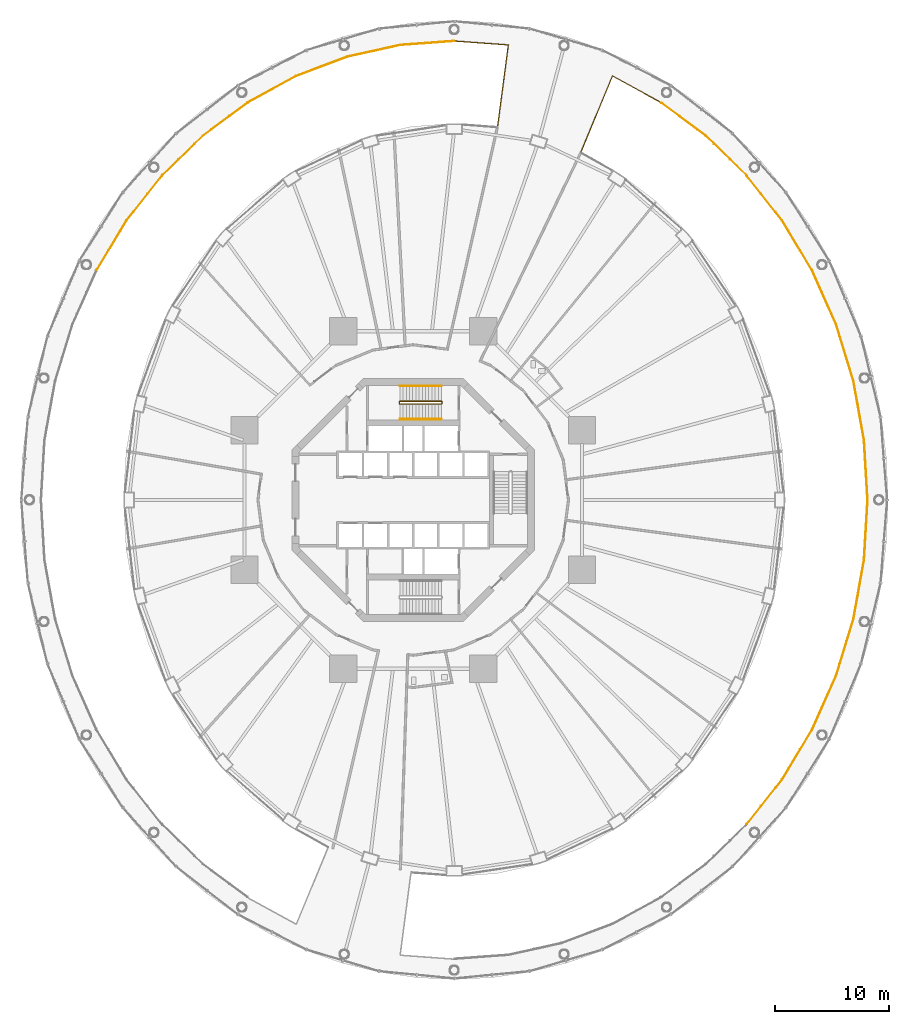
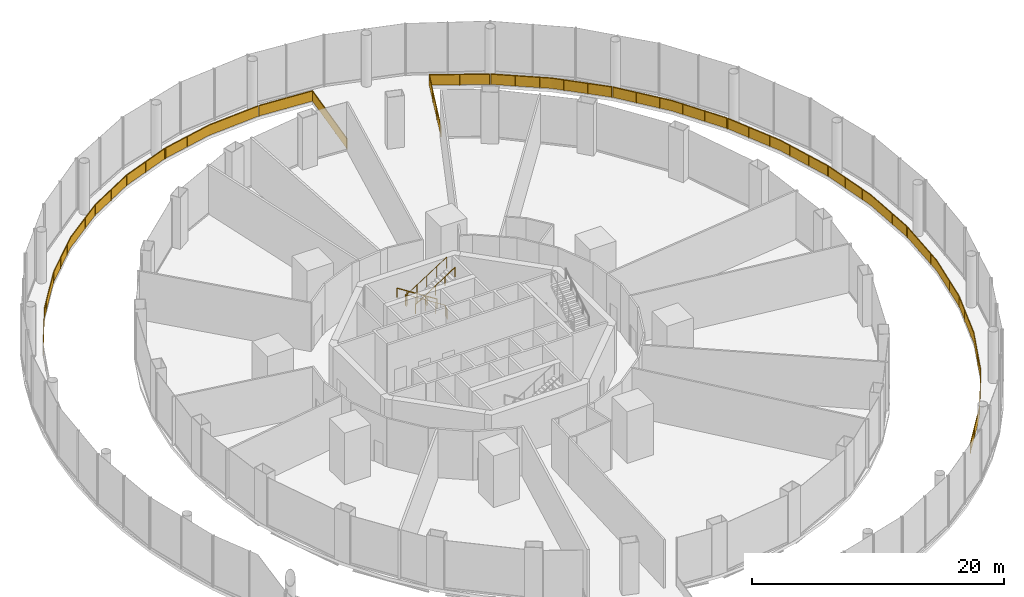
# One storey, part 46 of 47: 16 railings.
"""IFC4 building model written with IfcOpenShell, lengths in metres."""

from ifc_helpers import new_model, si_unit, direction, frame, origin, origin_2d, place, context, subcontext, project, spatial, polyline, rectangle, circle, outline, extrude, material, type_object, element, save


model = new_model("IFC4")

# Units and contexts
model_context = context("Model", 3, precision=1e-05, world=origin(), true_north=direction((0.0, 1.0)))
body_context = subcontext(model_context, "Body", "Model", "MODEL_VIEW")
ifc_project = project(units=[si_unit("LENGTHUNIT", "METRE"), si_unit("AREAUNIT", "SQUARE_METRE"), si_unit("VOLUMEUNIT", "CUBIC_METRE"), si_unit("PLANEANGLEUNIT", "RADIAN"), si_unit("MASSUNIT", "GRAM", prefix="KILO")], contexts=[model_context])

# Site, building, storey
site_placement = place(None, origin())
site = spatial("IfcSite", under=ifc_project, at=site_placement, CompositionType="ELEMENT")
building_placement = place(site_placement, origin())
building = spatial("IfcBuilding", under=site, at=building_placement, Name="Nagisa Residences", CompositionType="ELEMENT")
storey_placement = place(building_placement, frame((0.0, 0.0, 17.0)))
storey = spatial("IfcBuildingStorey", under=building, at=storey_placement, Name="L03", CompositionType="ELEMENT", Elevation=17.0)

# Railings
ifc_material_1 = material(Name="Stainless steel 316", Category="steel")
railing_type_1 = type_object("IfcRailingType", Name="ROOF GUARD 1100", PredefinedType="GUARDRAIL", material=ifc_material_1)
railing_1_placement = place(storey_placement, frame((7.390380859375, 32.75732421875, 0.0)))
element("IfcRailing", 1, at=railing_1_placement, inside=storey, type_object=railing_type_1, Name="guard:L03:gal0-00", PredefinedType="GUARDRAIL", context=body_context, shape_type="SweptSolid", body=[
    extrude(outline(polyline([(0.90625, 7.075927734375), (-0.02490234375, 0.003173828125), (0.02490234375, -0.003173828125), (0.962890625, 7.121826171875), (-3.748779296875, 7.464599609375), (-3.752197265625, 7.414794921875), (0.90625, 7.075927734375)])), frame((0.0, 0.0, 1.050048828125)), (0.0, 0.0, 1.0), 0.050048828125),
    extrude(outline(polyline([(0.9267578125, 7.092529296875), (-0.0068359375, 0.0009765625), (0.0068359375, -0.0009765625), (0.9423828125, 7.105224609375), (-3.75, 7.44677734375), (-3.7509765625, 7.4326171875), (0.9267578125, 7.092529296875)])), frame((0.0, 0.0, 0.06005859375)), (0.0, 0.0, 1.0), 0.989990234375),
    extrude(rectangle(XDim=0.0400390625, YDim=0.0400390625, at=origin_2d()), origin(), (0.0, 0.0, 1.0), 1.050048828125),
    extrude(rectangle(XDim=0.0400390625, YDim=0.0400390625, at=origin_2d()), frame((0.3095703125, 2.351318359375, 0.0)), (0.0, 0.0, 1.0), 1.050048828125),
    extrude(rectangle(XDim=0.0400390625, YDim=0.0400390625, at=origin_2d()), frame((0.619140625, 4.702392578125, 0.0)), (0.0, 0.0, 1.0), 1.050048828125),
    extrude(rectangle(XDim=0.0400390625, YDim=0.0400390625, at=origin_2d()), frame((0.9287109375, 7.0537109375, 0.0)), (0.0, 0.0, 1.0), 1.050048828125),
    extrude(rectangle(XDim=0.0400390625, YDim=0.0400390625, at=origin_2d()), frame((-1.38525390625, 7.267578125, 0.0)), (0.0, 0.0, 1.0), 1.050048828125),
    extrude(rectangle(XDim=0.0400390625, YDim=0.0400390625, at=origin_2d()), frame((-3.75048828125, 7.439697265625, 0.0)), (0.0, 0.0, 1.0), 1.050048828125),
])
railing_2_placement = place(storey_placement, frame((3.56005859375, 40.197021484375, 0.0)))
element("IfcRailing", 2, at=railing_2_placement, inside=storey, type_object=railing_type_1, Name="guard:L03:gal0-01", PredefinedType="GUARDRAIL", context=body_context, shape_type="SweptSolid", body=[
    extrude(outline(polyline([(-4.681396484375, -0.36572265625), (0.001708984375, -0.02490234375), (-0.001708984375, 0.02490234375), (-4.688720703125, -0.31591796875), (-9.295654296875, -1.333740234375), (-9.284912109375, -1.382568359375), (-4.681396484375, -0.36572265625)])), frame((0.0, 0.0, 1.050048828125)), (0.0, 0.0, 1.0), 0.050048828125),
    extrude(outline(polyline([(-4.68408203125, -0.34765625), (0.00048828125, -0.007080078125), (-0.00048828125, 0.007080078125), (-4.68603515625, -0.333984375), (-9.291748046875, -1.351318359375), (-9.288818359375, -1.364990234375), (-4.68408203125, -0.34765625)])), frame((0.0, 0.0, 0.06005859375)), (0.0, 0.0, 1.0), 0.989990234375),
    extrude(rectangle(XDim=0.0400390625, YDim=0.0400390625, at=origin_2d()), origin(), (0.0, 0.0, 1.0), 1.050048828125),
    extrude(rectangle(XDim=0.0400390625, YDim=0.0400390625, at=origin_2d()), frame((-2.34716796875, -0.170654296875, 0.0)), (0.0, 0.0, 1.0), 1.050048828125),
    extrude(rectangle(XDim=0.0400390625, YDim=0.0400390625, at=origin_2d()), frame((-4.6943359375, -0.3427734375, 0.0)), (0.0, 0.0, 1.0), 1.050048828125),
    extrude(rectangle(XDim=0.0400390625, YDim=0.0400390625, at=origin_2d()), frame((-6.9921875, -0.8505859375, 0.0)), (0.0, 0.0, 1.0), 1.050048828125),
    extrude(rectangle(XDim=0.0400390625, YDim=0.0400390625, at=origin_2d()), frame((-9.290283203125, -1.358154296875, 0.0)), (0.0, 0.0, 1.0), 1.050048828125),
])
railing_3_placement = place(storey_placement, frame((-5.806640625, 38.816162109375, 0.0)))
element("IfcRailing", 3, at=railing_3_placement, inside=storey, type_object=railing_type_1, Name="guard:L03:gal0-02", PredefinedType="GUARDRAIL", context=body_context, shape_type="SweptSolid", body=[
    extrude(outline(polyline([(-4.43603515625, -1.698974609375), (0.0087890625, -0.0234375), (-0.0087890625, 0.0234375), (-4.45703125, -1.653564453125), (-8.670166015625, -3.960693359375), (-8.646240234375, -4.004638671875), (-4.43603515625, -1.698974609375)])), frame((0.0, 0.0, 1.050048828125)), (0.0, 0.0, 1.0), 0.050048828125),
    extrude(outline(polyline([(-4.443603515625, -1.6826171875), (0.00244140625, -0.006591796875), (-0.00244140625, 0.006591796875), (-4.449462890625, -1.669921875), (-8.66162109375, -3.9765625), (-8.65478515625, -3.98876953125), (-4.443603515625, -1.6826171875)])), frame((0.0, 0.0, 0.06005859375)), (0.0, 0.0, 1.0), 0.989990234375),
    extrude(rectangle(XDim=0.0400390625, YDim=0.0400390625, at=origin_2d()), origin(), (0.0, 0.0, 1.0), 1.050048828125),
    extrude(rectangle(XDim=0.0400390625, YDim=0.0400390625, at=origin_2d()), frame((-2.23486328125, -0.842529296875, 0.0)), (0.0, 0.0, 1.0), 1.050048828125),
    extrude(rectangle(XDim=0.0400390625, YDim=0.0400390625, at=origin_2d()), frame((-4.468505859375, -1.688232421875, 0.0)), (0.0, 0.0, 1.0), 1.050048828125),
    extrude(rectangle(XDim=0.0400390625, YDim=0.0400390625, at=origin_2d()), frame((-6.563232421875, -2.83544921875, 0.0)), (0.0, 0.0, 1.0), 1.050048828125),
    extrude(rectangle(XDim=0.0400390625, YDim=0.0400390625, at=origin_2d()), frame((-8.658203125, -3.982666015625, 0.0)), (0.0, 0.0, 1.0), 1.050048828125),
])
railing_4_placement = place(storey_placement, frame((-14.5322265625, 34.790283203125, 0.0)))
element("IfcRailing", 4, at=railing_4_placement, inside=storey, type_object=railing_type_1, Name="guard:L03:gal0-03", PredefinedType="GUARDRAIL", context=body_context, shape_type="SweptSolid", body=[
    extrude(outline(polyline([(-3.888671875, -2.91650390625), (0.014892578125, -0.02001953125), (-0.014892578125, 0.02001953125), (-3.92138671875, -2.87841796875), (-7.453857421875, -6.31884765625), (-7.418701171875, -6.3544921875), (-3.888671875, -2.91650390625)])), frame((0.0, 0.0, 1.050048828125)), (0.0, 0.0, 1.0), 0.050048828125),
    extrude(outline(polyline([(-3.900390625, -2.90283203125), (0.004150390625, -0.005615234375), (-0.004150390625, 0.005615234375), (-3.90966796875, -2.89208984375), (-7.441162109375, -6.33154296875), (-7.431396484375, -6.341796875), (-3.900390625, -2.90283203125)])), frame((0.0, 0.0, 0.06005859375)), (0.0, 0.0, 1.0), 0.989990234375),
    extrude(rectangle(XDim=0.0400390625, YDim=0.0400390625, at=origin_2d()), origin(), (0.0, 0.0, 1.0), 1.050048828125),
    extrude(rectangle(XDim=0.0400390625, YDim=0.0400390625, at=origin_2d()), frame((-1.57275390625, -1.1669921875, 0.0)), (0.0, 0.0, 1.0), 1.050048828125),
    extrude(rectangle(XDim=0.0400390625, YDim=0.0400390625, at=origin_2d()), frame((-3.1455078125, -2.333984375, 0.0)), (0.0, 0.0, 1.0), 1.050048828125),
    extrude(rectangle(XDim=0.0400390625, YDim=0.0400390625, at=origin_2d()), frame((-4.63037109375, -3.60400390625, 0.0)), (0.0, 0.0, 1.0), 1.050048828125),
    extrude(rectangle(XDim=0.0400390625, YDim=0.0400390625, at=origin_2d()), frame((-6.033447265625, -4.97021484375, 0.0)), (0.0, 0.0, 1.0), 1.050048828125),
    extrude(rectangle(XDim=0.0400390625, YDim=0.0400390625, at=origin_2d()), frame((-7.436279296875, -6.336669921875, 0.0)), (0.0, 0.0, 1.0), 1.050048828125),
])
railing_5_placement = place(storey_placement, frame((-22.02197265625, 28.394287109375, 0.0)))
element("IfcRailing", 5, at=railing_5_placement, inside=storey, type_object=railing_type_1, Name="guard:L03:gal0-04", PredefinedType="GUARDRAIL", context=body_context, shape_type="SweptSolid", body=[
    extrude(outline(polyline([(-3.076904296875, -3.936279296875), (0.01953125, -0.015625), (-0.01953125, 0.015625), (-3.117919921875, -3.907958984375), (-5.72900390625, -8.2470703125), (-5.68603515625, -8.27294921875), (-3.076904296875, -3.936279296875)])), frame((0.0, 0.0, 1.050048828125)), (0.0, 0.0, 1.0), 0.050048828125),
    extrude(outline(polyline([(-3.091552734375, -3.926025390625), (0.005615234375, -0.00439453125), (-0.005615234375, 0.00439453125), (-3.103271484375, -3.918212890625), (-5.713623046875, -8.25634765625), (-5.701416015625, -8.263671875), (-3.091552734375, -3.926025390625)])), frame((0.0, 0.0, 0.06005859375)), (0.0, 0.0, 1.0), 0.989990234375),
    extrude(rectangle(XDim=0.0400390625, YDim=0.0400390625, at=origin_2d()), origin(), (0.0, 0.0, 1.0), 1.050048828125),
    extrude(rectangle(XDim=0.0400390625, YDim=0.0400390625, at=origin_2d()), frame((-1.2470703125, -1.5791015625, 0.0)), (0.0, 0.0, 1.0), 1.050048828125),
    extrude(rectangle(XDim=0.0400390625, YDim=0.0400390625, at=origin_2d()), frame((-2.494140625, -3.157958984375, 0.0)), (0.0, 0.0, 1.0), 1.050048828125),
    extrude(rectangle(XDim=0.0400390625, YDim=0.0400390625, at=origin_2d()), frame((-3.6328125, -4.81201171875, 0.0)), (0.0, 0.0, 1.0), 1.050048828125),
    extrude(rectangle(XDim=0.0400390625, YDim=0.0400390625, at=origin_2d()), frame((-4.670166015625, -6.535888671875, 0.0)), (0.0, 0.0, 1.0), 1.050048828125),
    extrude(rectangle(XDim=0.0400390625, YDim=0.0400390625, at=origin_2d()), frame((-5.70751953125, -8.260009765625, 0.0)), (0.0, 0.0, 1.0), 1.050048828125),
])
railing_6_placement = place(storey_placement, frame((29.22216796875, -28.394287109375, 0.0)))
element("IfcRailing", 6, at=railing_6_placement, inside=storey, type_object=railing_type_1, Name="guard:L03:gal1-04", PredefinedType="GUARDRAIL", context=body_context, shape_type="SweptSolid", body=[
    extrude(outline(polyline([(3.07666015625, 3.936279296875), (-0.01953125, 0.015625), (0.01953125, -0.015625), (3.11767578125, 3.907958984375), (5.728759765625, 8.2470703125), (5.685791015625, 8.27294921875), (3.07666015625, 3.936279296875)])), frame((0.0, 0.0, 1.050048828125)), (0.0, 0.0, 1.0), 0.050048828125),
    extrude(outline(polyline([(3.09130859375, 3.926025390625), (-0.005615234375, 0.00439453125), (0.005615234375, -0.00439453125), (3.10302734375, 3.918212890625), (5.71337890625, 8.25634765625), (5.701171875, 8.263671875), (3.09130859375, 3.926025390625)])), frame((0.0, 0.0, 0.06005859375)), (0.0, 0.0, 1.0), 0.989990234375),
    extrude(rectangle(XDim=0.0400390625, YDim=0.0400390625, at=origin_2d()), origin(), (0.0, 0.0, 1.0), 1.050048828125),
    extrude(rectangle(XDim=0.0400390625, YDim=0.0400390625, at=origin_2d()), frame((1.246826171875, 1.5791015625, 0.0)), (0.0, 0.0, 1.0), 1.050048828125),
    extrude(rectangle(XDim=0.0400390625, YDim=0.0400390625, at=origin_2d()), frame((2.493896484375, 3.158203125, 0.0)), (0.0, 0.0, 1.0), 1.050048828125),
    extrude(rectangle(XDim=0.0400390625, YDim=0.0400390625, at=origin_2d()), frame((3.632568359375, 4.81201171875, 0.0)), (0.0, 0.0, 1.0), 1.050048828125),
    extrude(rectangle(XDim=0.0400390625, YDim=0.0400390625, at=origin_2d()), frame((4.669921875, 6.535888671875, 0.0)), (0.0, 0.0, 1.0), 1.050048828125),
    extrude(rectangle(XDim=0.0400390625, YDim=0.0400390625, at=origin_2d()), frame((5.707275390625, 8.260009765625, 0.0)), (0.0, 0.0, 1.0), 1.050048828125),
])
railing_7_placement = place(storey_placement, frame((34.96630859375, -20.0634765625, 0.0)))
element("IfcRailing", 7, at=railing_7_placement, inside=storey, type_object=railing_type_1, Name="guard:L03:gal1-05", PredefinedType="GUARDRAIL", context=body_context, shape_type="SweptSolid", body=[
    extrude(outline(polyline([(2.0546875, 4.6884765625), (-0.02294921875, 0.01025390625), (0.02294921875, -0.01025390625), (2.1015625, 4.6708984375), (3.612548828125, 9.61328125), (3.564697265625, 9.6279296875), (2.0546875, 4.6884765625)])), frame((0.0, 0.0, 1.050048828125)), (0.0, 0.0, 1.0), 0.050048828125),
    extrude(outline(polyline([(2.071533203125, 4.68212890625), (-0.00634765625, 0.0029296875), (0.00634765625, -0.0029296875), (2.084716796875, 4.67724609375), (3.59521484375, 9.61865234375), (3.58203125, 9.62255859375), (2.071533203125, 4.68212890625)])), frame((0.0, 0.0, 0.06005859375)), (0.0, 0.0, 1.0), 0.989990234375),
    extrude(rectangle(XDim=0.0400390625, YDim=0.0400390625, at=origin_2d()), origin(), (0.0, 0.0, 1.0), 1.050048828125),
    extrude(rectangle(XDim=0.0400390625, YDim=0.0400390625, at=origin_2d()), frame((0.8349609375, 1.88037109375, 0.0)), (0.0, 0.0, 1.0), 1.050048828125),
    extrude(rectangle(XDim=0.0400390625, YDim=0.0400390625, at=origin_2d()), frame((1.669921875, 3.7607421875, 0.0)), (0.0, 0.0, 1.0), 1.050048828125),
    extrude(rectangle(XDim=0.0400390625, YDim=0.0400390625, at=origin_2d()), frame((2.3857421875, 5.685546875, 0.0)), (0.0, 0.0, 1.0), 1.050048828125),
    extrude(rectangle(XDim=0.0400390625, YDim=0.0400390625, at=origin_2d()), frame((2.987060546875, 7.653076171875, 0.0)), (0.0, 0.0, 1.0), 1.050048828125),
    extrude(rectangle(XDim=0.0400390625, YDim=0.0400390625, at=origin_2d()), frame((3.588623046875, 9.62060546875, 0.0)), (0.0, 0.0, 1.0), 1.050048828125),
])
railing_8_placement = place(storey_placement, frame((38.573486328125, -10.365234375, 0.0)))
element("IfcRailing", 8, at=railing_8_placement, inside=storey, type_object=railing_type_1, Name="guard:L03:gal1-06", PredefinedType="GUARDRAIL", context=body_context, shape_type="SweptSolid", body=[
    extrude(outline(polyline([(0.891845703125, 5.12109375), (-0.024658203125, 0.00439453125), (0.024658203125, -0.00439453125), (0.941650390625, 5.115234375), (1.2490234375, 10.32373046875), (1.19921875, 10.32666015625), (0.891845703125, 5.12109375)])), frame((0.0, 0.0, 1.050048828125)), (0.0, 0.0, 1.0), 0.050048828125),
    extrude(outline(polyline([(0.90966796875, 5.118896484375), (-0.0068359375, 0.001220703125), (0.0068359375, -0.001220703125), (0.923828125, 5.117431640625), (1.231201171875, 10.32470703125), (1.217041015625, 10.32568359375), (0.90966796875, 5.118896484375)])), frame((0.0, 0.0, 0.06005859375)), (0.0, 0.0, 1.0), 0.989990234375),
    extrude(rectangle(XDim=0.0400390625, YDim=0.0400390625, at=origin_2d()), origin(), (0.0, 0.0, 1.0), 1.050048828125),
    extrude(rectangle(XDim=0.0400390625, YDim=0.0400390625, at=origin_2d()), frame((0.3671875, 2.050537109375, 0.0)), (0.0, 0.0, 1.0), 1.050048828125),
    extrude(rectangle(XDim=0.0400390625, YDim=0.0400390625, at=origin_2d()), frame((0.734619140625, 4.10107421875, 0.0)), (0.0, 0.0, 1.0), 1.050048828125),
    extrude(rectangle(XDim=0.0400390625, YDim=0.0400390625, at=origin_2d()), frame((0.978515625, 6.166259765625, 0.0)), (0.0, 0.0, 1.0), 1.050048828125),
    extrude(rectangle(XDim=0.0400390625, YDim=0.0400390625, at=origin_2d()), frame((1.101318359375, 8.24560546875, 0.0)), (0.0, 0.0, 1.0), 1.050048828125),
    extrude(rectangle(XDim=0.0400390625, YDim=0.0400390625, at=origin_2d()), frame((1.22412109375, 10.3251953125, 0.0)), (0.0, 0.0, 1.0), 1.050048828125),
])
railing_9_placement = place(storey_placement, frame((39.797607421875, 0.0400390625, 0.0)))
element("IfcRailing", 9, at=railing_9_placement, inside=storey, type_object=railing_type_1, Name="guard:L03:gal1-07", PredefinedType="GUARDRAIL", context=body_context, shape_type="SweptSolid", body=[
    extrude(outline(polyline([(-0.332275390625, 5.2041015625), (-0.02490234375, -0.00146484375), (0.02490234375, 0.00146484375), (-0.282470703125, 5.2099609375), (-1.199462890625, 10.32958984375), (-1.248779296875, 10.32080078125), (-0.332275390625, 5.2041015625)])), frame((0.0, 0.0, 1.050048828125)), (0.0, 0.0, 1.0), 0.050048828125),
    extrude(outline(polyline([(-0.314453125, 5.206298828125), (-0.007080078125, -0.00048828125), (0.007080078125, 0.00048828125), (-0.30029296875, 5.207763671875), (-1.21728515625, 10.326416015625), (-1.23095703125, 10.323974609375), (-0.314453125, 5.206298828125)])), frame((0.0, 0.0, 0.06005859375)), (0.0, 0.0, 1.0), 0.989990234375),
    extrude(rectangle(XDim=0.0400390625, YDim=0.0400390625, at=origin_2d()), origin(), (0.0, 0.0, 1.0), 1.050048828125),
    extrude(rectangle(XDim=0.0400390625, YDim=0.0400390625, at=origin_2d()), frame((-0.122802734375, 2.07958984375, 0.0)), (0.0, 0.0, 1.0), 1.050048828125),
    extrude(rectangle(XDim=0.0400390625, YDim=0.0400390625, at=origin_2d()), frame((-0.24560546875, 4.158935546875, 0.0)), (0.0, 0.0, 1.0), 1.050048828125),
    extrude(rectangle(XDim=0.0400390625, YDim=0.0400390625, at=origin_2d()), frame((-0.489501953125, 6.22412109375, 0.0)), (0.0, 0.0, 1.0), 1.050048828125),
    extrude(rectangle(XDim=0.0400390625, YDim=0.0400390625, at=origin_2d()), frame((-0.85693359375, 8.274658203125, 0.0)), (0.0, 0.0, 1.0), 1.050048828125),
    extrude(rectangle(XDim=0.0400390625, YDim=0.0400390625, at=origin_2d()), frame((-1.22412109375, 10.3251953125, 0.0)), (0.0, 0.0, 1.0), 1.050048828125),
])
railing_10_placement = place(storey_placement, frame((38.554931640625, 10.44287109375, 0.0)))
element("IfcRailing", 10, at=railing_10_placement, inside=storey, type_object=railing_type_1, Name="guard:L03:gal1-08", PredefinedType="GUARDRAIL", context=body_context, shape_type="SweptSolid", body=[
    extrude(outline(polyline([(-1.533935546875, 4.93212890625), (-0.02392578125, -0.00732421875), (0.02392578125, 0.00732421875), (-1.487060546875, 4.94970703125), (-3.565673828125, 9.630859375), (-3.611572265625, 9.6103515625), (-1.533935546875, 4.93212890625)])), frame((0.0, 0.0, 1.050048828125)), (0.0, 0.0, 1.0), 0.050048828125),
    extrude(outline(polyline([(-1.51708984375, 4.9384765625), (-0.006591796875, -0.001953125), (0.006591796875, 0.001953125), (-1.50390625, 4.943359375), (-3.582275390625, 9.62353515625), (-3.594970703125, 9.61767578125), (-1.51708984375, 4.9384765625)])), frame((0.0, 0.0, 0.06005859375)), (0.0, 0.0, 1.0), 0.989990234375),
    extrude(rectangle(XDim=0.0400390625, YDim=0.0400390625, at=origin_2d()), origin(), (0.0, 0.0, 1.0), 1.050048828125),
    extrude(rectangle(XDim=0.0400390625, YDim=0.0400390625, at=origin_2d()), frame((-0.6015625, 1.967529296875, 0.0)), (0.0, 0.0, 1.0), 1.050048828125),
    extrude(rectangle(XDim=0.0400390625, YDim=0.0400390625, at=origin_2d()), frame((-1.202880859375, 3.93505859375, 0.0)), (0.0, 0.0, 1.0), 1.050048828125),
    extrude(rectangle(XDim=0.0400390625, YDim=0.0400390625, at=origin_2d()), frame((-1.918701171875, 5.85986328125, 0.0)), (0.0, 0.0, 1.0), 1.050048828125),
    extrude(rectangle(XDim=0.0400390625, YDim=0.0400390625, at=origin_2d()), frame((-2.753662109375, 7.740234375, 0.0)), (0.0, 0.0, 1.0), 1.050048828125),
    extrude(rectangle(XDim=0.0400390625, YDim=0.0400390625, at=origin_2d()), frame((-3.588623046875, 9.62060546875, 0.0)), (0.0, 0.0, 1.0), 1.050048828125),
])
railing_11_placement = place(storey_placement, frame((34.929443359375, 20.13427734375, 0.0)))
element("IfcRailing", 11, at=railing_11_placement, inside=storey, type_object=railing_type_1, Name="guard:L03:gal1-09", PredefinedType="GUARDRAIL", context=body_context, shape_type="SweptSolid", body=[
    extrude(outline(polyline([(-2.630615234375, 4.32373046875), (-0.021484375, -0.012939453125), (0.021484375, 0.012939453125), (-2.589599609375, 4.35205078125), (-5.687744140625, 8.275634765625), (-5.726806640625, 8.244384765625), (-2.630615234375, 4.32373046875)])), frame((0.0, 0.0, 1.050048828125)), (0.0, 0.0, 1.0), 0.050048828125),
    extrude(outline(polyline([(-2.615966796875, 4.333984375), (-0.006103515625, -0.003662109375), (0.006103515625, 0.003662109375), (-2.604248046875, 4.341796875), (-5.70166015625, 8.264404296875), (-5.712890625, 8.255615234375), (-2.615966796875, 4.333984375)])), frame((0.0, 0.0, 0.06005859375)), (0.0, 0.0, 1.0), 0.989990234375),
    extrude(rectangle(XDim=0.0400390625, YDim=0.0400390625, at=origin_2d()), origin(), (0.0, 0.0, 1.0), 1.050048828125),
    extrude(rectangle(XDim=0.0400390625, YDim=0.0400390625, at=origin_2d()), frame((-1.037353515625, 1.72412109375, 0.0)), (0.0, 0.0, 1.0), 1.050048828125),
    extrude(rectangle(XDim=0.0400390625, YDim=0.0400390625, at=origin_2d()), frame((-2.07470703125, 3.447998046875, 0.0)), (0.0, 0.0, 1.0), 1.050048828125),
    extrude(rectangle(XDim=0.0400390625, YDim=0.0400390625, at=origin_2d()), frame((-3.21337890625, 5.101806640625, 0.0)), (0.0, 0.0, 1.0), 1.050048828125),
    extrude(rectangle(XDim=0.0400390625, YDim=0.0400390625, at=origin_2d()), frame((-4.46044921875, 6.680908203125, 0.0)), (0.0, 0.0, 1.0), 1.050048828125),
    extrude(rectangle(XDim=0.0400390625, YDim=0.0400390625, at=origin_2d()), frame((-5.707275390625, 8.260009765625, 0.0)), (0.0, 0.0, 1.0), 1.050048828125),
])
railing_12_placement = place(storey_placement, frame((29.168701171875, 28.45361328125, 0.0)))
element("IfcRailing", 12, at=railing_12_placement, inside=storey, type_object=railing_type_1, Name="guard:L03:gal1-10", PredefinedType="GUARDRAIL", context=body_context, shape_type="SweptSolid", body=[
    extrude(outline(polyline([(-3.5478515625, 3.420166015625), (-0.017578125, -0.017822265625), (0.017578125, 0.017822265625), (-3.51513671875, 3.458251953125), (-7.421630859375, 6.356689453125), (-7.451416015625, 6.316650390625), (-3.5478515625, 3.420166015625)])), frame((0.0, 0.0, 1.050048828125)), (0.0, 0.0, 1.0), 0.050048828125),
    extrude(outline(polyline([(-3.5361328125, 3.433837890625), (-0.0048828125, -0.005126953125), (0.0048828125, 0.005126953125), (-3.52685546875, 3.444580078125), (-7.432373046875, 6.34228515625), (-7.440673828125, 6.3310546875), (-3.5361328125, 3.433837890625)])), frame((0.0, 0.0, 0.06005859375)), (0.0, 0.0, 1.0), 0.989990234375),
    extrude(rectangle(XDim=0.0400390625, YDim=0.0400390625, at=origin_2d()), origin(), (0.0, 0.0, 1.0), 1.050048828125),
    extrude(rectangle(XDim=0.0400390625, YDim=0.0400390625, at=origin_2d()), frame((-1.403076171875, 1.366455078125, 0.0)), (0.0, 0.0, 1.0), 1.050048828125),
    extrude(rectangle(XDim=0.0400390625, YDim=0.0400390625, at=origin_2d()), frame((-2.805908203125, 2.732666015625, 0.0)), (0.0, 0.0, 1.0), 1.050048828125),
    extrude(rectangle(XDim=0.0400390625, YDim=0.0400390625, at=origin_2d()), frame((-4.291015625, 4.002685546875, 0.0)), (0.0, 0.0, 1.0), 1.050048828125),
    extrude(rectangle(XDim=0.0400390625, YDim=0.0400390625, at=origin_2d()), frame((-5.86376953125, 5.169677734375, 0.0)), (0.0, 0.0, 1.0), 1.050048828125),
    extrude(rectangle(XDim=0.0400390625, YDim=0.0400390625, at=origin_2d()), frame((-7.4365234375, 6.336669921875, 0.0)), (0.0, 0.0, 1.0), 1.050048828125),
])
railing_13_placement = place(storey_placement, frame((21.664794921875, 34.83349609375, 0.0)))
element("IfcRailing", 13, at=railing_13_placement, inside=storey, type_object=railing_type_1, Name="guard:L03:gal1-11", PredefinedType="GUARDRAIL", context=body_context, shape_type="SweptSolid", body=[
    extrude(outline(polyline([(-4.19921875, 2.27099609375), (-0.011962890625, -0.02197265625), (0.011962890625, 0.02197265625), (-4.22412109375, 2.341796875), (-6.974853515625, -4.299072265625), (-6.928466796875, -4.318115234375), (-4.19921875, 2.27099609375)])), frame((0.0, 0.0, 1.050048828125)), (0.0, 0.0, 1.0), 0.050048828125),
    extrude(outline(polyline([(-4.208251953125, 2.296630859375), (-0.00341796875, -0.006103515625), (0.00341796875, 0.006103515625), (-4.215087890625, 2.316162109375), (-6.9580078125, -4.305908203125), (-6.9453125, -4.311279296875), (-4.208251953125, 2.296630859375)])), frame((0.0, 0.0, 0.06005859375)), (0.0, 0.0, 1.0), 0.989990234375),
    extrude(rectangle(XDim=0.0400390625, YDim=0.0400390625, at=origin_2d()), origin(), (0.0, 0.0, 1.0), 1.050048828125),
    extrude(rectangle(XDim=0.0400390625, YDim=0.0400390625, at=origin_2d()), frame((-2.098388671875, 1.149169921875, 0.0)), (0.0, 0.0, 1.0), 1.050048828125),
    extrude(rectangle(XDim=0.0400390625, YDim=0.0400390625, at=origin_2d()), frame((-4.19677734375, 2.298095703125, 0.0)), (0.0, 0.0, 1.0), 1.050048828125),
    extrude(rectangle(XDim=0.0400390625, YDim=0.0400390625, at=origin_2d()), frame((-5.12060546875, 0.11181640625, 0.0)), (0.0, 0.0, 1.0), 1.050048828125),
    extrude(rectangle(XDim=0.0400390625, YDim=0.0400390625, at=origin_2d()), frame((-6.0361328125, -2.098388671875, 0.0)), (0.0, 0.0, 1.0), 1.050048828125),
    extrude(rectangle(XDim=0.0400390625, YDim=0.0400390625, at=origin_2d()), frame((-6.95166015625, -4.30859375, 0.0)), (0.0, 0.0, 1.0), 1.050048828125),
])
ifc_material_2 = material(Name="Stainless steel", Category="steel")
railing_type_2 = type_object("IfcRailingType", Name="Stair guard 1100", PredefinedType="GUARDRAIL", material=ifc_material_2)
railing_14_placement = place(storey_placement, frame((2.52490234375, 8.44970703125, 0.0)))
element("IfcRailing", 14, at=railing_14_placement, inside=storey, type_object=railing_type_2, Name="L03 ST-N stair guard 1", PredefinedType="GUARDRAIL", context=body_context, shape_type="SweptSolid", body=[
    extrude(circle(Radius=0.02392578125, at=origin_2d()), frame((0.0, 0.0, 1.076171875), z_axis=(0.0, 1.0, 0.0), x_axis=(-1.0, 0.0, 0.0)), (0.0, 0.0, 1.0), 0.14990234375),
    extrude(circle(Radius=0.02392578125, at=origin_2d()), frame((0.0, 0.14990234375, 1.076171875), z_axis=(-0.25949872427, 0.26077077684, 0.929870428634), x_axis=(-0.708833529934, -0.705375805398, 0.0)), (0.0, 0.0, 1.0), 0.19189453125),
    extrude(circle(Radius=0.02392578125, at=origin_2d()), frame((-0.0498046875, 0.199951171875, 1.25439453125), z_axis=(-0.843127859045, 0.0, 0.537713132908), x_axis=(0.0, -1.0, 0.0)), (0.0, 0.0, 1.0), 4.3173828125),
    extrude(circle(Radius=0.02392578125, at=origin_2d()), frame((-3.68994140625, 0.199951171875, 3.576171875), z_axis=(-0.707106781187, -0.707106781187, 0.0), x_axis=(0.707106781187, -0.707106781187, 0.0)), (0.0, 0.0, 1.0), 0.07080078125),
    extrude(circle(Radius=0.02392578125, at=origin_2d()), frame((-3.739990234375, 0.14990234375, 3.576171875), z_axis=(0.0, -1.0, 0.0), x_axis=(1.0, 0.0, 0.0)), (0.0, 0.0, 1.0), 0.14990234375),
    extrude(circle(Radius=0.02392578125, at=origin_2d()), frame((-3.739990234375, 0.0, 3.576171875), z_axis=(0.260684529273, -0.260684529273, 0.929562882432), x_axis=(0.707106781187, 0.707106781187, 0.0)), (0.0, 0.0, 1.0), 0.19189453125),
    extrude(circle(Radius=0.02392578125, at=origin_2d()), frame((-3.68994140625, -0.050048828125, 3.75439453125), z_axis=(0.843127859045, 0.0, 0.537713132908), x_axis=(0.0, 1.0, 0.0)), (0.0, 0.0, 1.0), 4.3173828125),
    extrude(circle(Radius=0.02099609375, at=origin_2d()), origin(), (0.0, 0.0, 1.0), 1.052001953125),
    extrude(circle(Radius=0.02099609375, at=origin_2d()), frame((0.0, 0.14990234375, 0.0)), (0.0, 0.0, 1.0), 1.052001953125),
    extrude(circle(Radius=0.02099609375, at=origin_2d()), frame((-0.0498046875, 0.199951171875, 0.178466796875)), (0.0, 0.0, 1.0), 1.052001953125),
    extrude(circle(Radius=0.02099609375, at=origin_2d()), frame((-0.9599609375, 0.199951171875, 0.7587890625)), (0.0, 0.0, 1.0), 1.052001953125),
    extrude(circle(Radius=0.02099609375, at=origin_2d()), frame((-1.869873046875, 0.199951171875, 1.33935546875)), (0.0, 0.0, 1.0), 1.052001953125),
    extrude(circle(Radius=0.02099609375, at=origin_2d()), frame((-2.77978515625, 0.199951171875, 1.919677734375)), (0.0, 0.0, 1.0), 1.052001953125),
    extrude(circle(Radius=0.02099609375, at=origin_2d()), frame((-3.68994140625, 0.199951171875, 2.5)), (0.0, 0.0, 1.0), 1.052001953125),
    extrude(circle(Radius=0.02099609375, at=origin_2d()), frame((-3.739990234375, 0.14990234375, 2.5)), (0.0, 0.0, 1.0), 1.052001953125),
    extrude(circle(Radius=0.02099609375, at=origin_2d()), frame((-3.739990234375, 0.0, 2.5)), (0.0, 0.0, 1.0), 1.052001953125),
    extrude(circle(Radius=0.02099609375, at=origin_2d()), frame((-3.68994140625, -0.050048828125, 2.678466796875)), (0.0, 0.0, 1.0), 1.052001953125),
    extrude(circle(Radius=0.02099609375, at=origin_2d()), frame((-2.77978515625, -0.050048828125, 3.2587890625)), (0.0, 0.0, 1.0), 1.052001953125),
    extrude(circle(Radius=0.02099609375, at=origin_2d()), frame((-1.869873046875, -0.050048828125, 3.83935546875)), (0.0, 0.0, 1.0), 1.052001953125),
    extrude(circle(Radius=0.02099609375, at=origin_2d()), frame((-0.9599609375, -0.050048828125, 4.419677734375)), (0.0, 0.0, 1.0), 1.052001953125),
    extrude(circle(Radius=0.02099609375, at=origin_2d()), frame((-0.0498046875, -0.050048828125, 5.0)), (0.0, 0.0, 1.0), 1.052001953125),
])
ifc_material_3 = material(Name="Stainless steel", Category="steel")
railing_type_3 = type_object("IfcRailingType", Name="Stair handrail 900", PredefinedType="HANDRAIL", material=ifc_material_3)
railing_15_placement = place(storey_placement, frame((2.47509765625, 9.974609375, 0.178466796875)))
element("IfcRailing", 15, at=railing_15_placement, inside=storey, type_object=railing_type_3, Name="L03 ST-N stair handrail 1", PredefinedType="HANDRAIL", context=body_context, shape_type="SweptSolid", body=[
    extrude(circle(Radius=0.02392578125, at=origin_2d()), frame((0.0, 0.0, 0.8759765625), z_axis=(-0.843127859045, 0.0, 0.537713132908), x_axis=(0.0, -1.0, 0.0)), (0.0, 0.0, 1.0), 4.3173828125),
    extrude(circle(Radius=0.02099609375, at=origin_2d()), origin(), (0.0, 0.0, 1.0), 0.851806640625),
    extrude(circle(Radius=0.02099609375, at=origin_2d()), frame((-0.91015625, 0.0, 0.580322265625)), (0.0, 0.0, 1.0), 0.851806640625),
    extrude(circle(Radius=0.02099609375, at=origin_2d()), frame((-1.820068359375, 0.0, 1.16064453125)), (0.0, 0.0, 1.0), 0.851806640625),
    extrude(circle(Radius=0.02099609375, at=origin_2d()), frame((-2.72998046875, 0.0, 1.7412109375)), (0.0, 0.0, 1.0), 0.851806640625),
    extrude(circle(Radius=0.02099609375, at=origin_2d()), frame((-3.64013671875, 0.0, 2.321533203125)), (0.0, 0.0, 1.0), 0.851806640625),
])
railing_16_placement = place(storey_placement, frame((-1.1650390625, 7.07470703125, 2.678466796875)))
element("IfcRailing", 16, at=railing_16_placement, inside=storey, type_object=railing_type_3, Name="L03 ST-N stair handrail 2", PredefinedType="HANDRAIL", context=body_context, shape_type="SweptSolid", body=[
    extrude(circle(Radius=0.02392578125, at=origin_2d()), frame((0.0, 0.0, 0.8759765625), z_axis=(0.843127859045, 0.0, 0.537713132908), x_axis=(0.0, 1.0, 0.0)), (0.0, 0.0, 1.0), 4.3173828125),
    extrude(circle(Radius=0.02099609375, at=origin_2d()), origin(), (0.0, 0.0, 1.0), 0.851806640625),
    extrude(circle(Radius=0.02099609375, at=origin_2d()), frame((0.91015625, 0.0, 0.580322265625)), (0.0, 0.0, 1.0), 0.851806640625),
    extrude(circle(Radius=0.02099609375, at=origin_2d()), frame((1.820068359375, 0.0, 1.16064453125)), (0.0, 0.0, 1.0), 0.851806640625),
    extrude(circle(Radius=0.02099609375, at=origin_2d()), frame((2.72998046875, 0.0, 1.7412109375)), (0.0, 0.0, 1.0), 0.851806640625),
    extrude(circle(Radius=0.02099609375, at=origin_2d()), frame((3.64013671875, 0.0, 2.321533203125)), (0.0, 0.0, 1.0), 0.851806640625),
])

save(model, "model.ifc")
